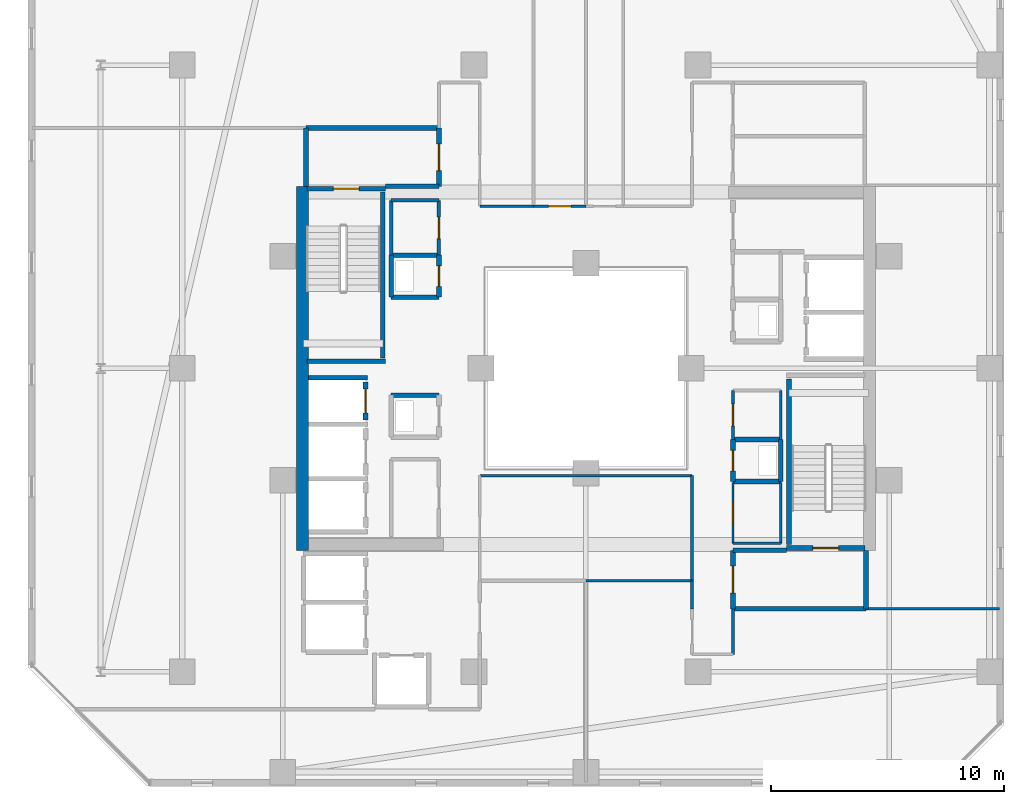
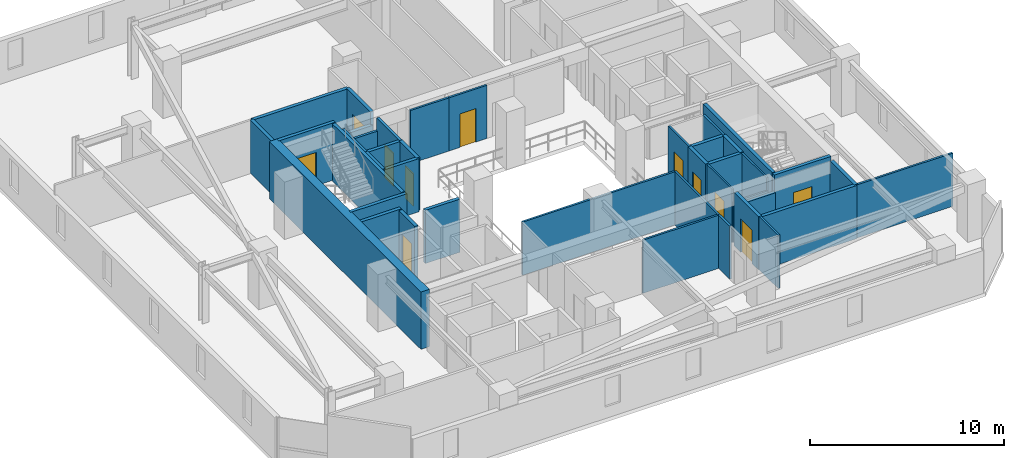
# One storey, part 24 of 33: 41 walls, 11 doors, 11 openings.
"""IFC4 building model written with IfcOpenShell, lengths in metres."""

from ifc_helpers import new_model, si_unit, direction, frame, frame_2d, origin, place, context, subcontext, project, spatial, rectangle, extrude, material, layer, layer_set, type_object, element, fill, save


model = new_model("IFC4")

# Units and contexts
model_context = context("Model", 3, precision=1e-05, world=origin(), true_north=direction((0.0, 1.0)))
body_context = subcontext(model_context, "Body", "Model", "MODEL_VIEW")
ifc_project = project(units=[si_unit("LENGTHUNIT", "METRE"), si_unit("AREAUNIT", "SQUARE_METRE"), si_unit("VOLUMEUNIT", "CUBIC_METRE"), si_unit("PLANEANGLEUNIT", "RADIAN"), si_unit("MASSUNIT", "GRAM", prefix="KILO")], contexts=[model_context])

# Site, building, storey
site_placement = place(None, origin())
site = spatial("IfcSite", under=ifc_project, at=site_placement, CompositionType="ELEMENT")
building_placement = place(site_placement, origin())
building = spatial("IfcBuilding", under=site, at=building_placement, Name="Thornwick Lancets Civic Towers", CompositionType="ELEMENT")
storey_placement = place(building_placement, frame((0.0, 0.0, 189.300048828125)))
storey = spatial("IfcBuildingStorey", under=building, at=storey_placement, Name="L50", CompositionType="ELEMENT", Elevation=189.300048828125)

# Wall, opening, door
ifc_material_1 = material(Name="Concrete blockwork C40/50", Category="masonry")
ifc_layer_1 = layer(ifc_material_1, 0.199951171875, Name="Concrete blockwork C40/50")
ifc_layer_set_1 = layer_set([ifc_layer_1], Name="Concrete blockwork C40/50")
wall_type_1 = type_object("IfcWallType", Name="WALL_COMP_200", PredefinedType="STANDARD", material=ifc_layer_set_1)
wall_1_placement = place(storey_placement, frame((79.050048828125, 24.780029296875, 0.0), z_axis=(0.0, 0.0, 1.0), x_axis=(0.0, 1.0, 0.0)))
wall_1 = element("IfcWall", 1, at=wall_1_placement, inside=storey, type_object=wall_type_1, Name="L50 Hoistway Front Wall FL-B2", PredefinedType="STANDARD", context=body_context, shape_type="SweptSolid", body=[
    extrude(rectangle(XDim=1.639892578125, YDim=0.199951171875, at=frame_2d((0.81982421875, 0.0))), origin(), (0.0, 0.0, 1.0), 3.33984375),
])
opening_1_placement = place(wall_1_placement, frame((0.31005859375, 0.0, 0.0)))
opening_1 = element("IfcOpeningElement", 2, at=opening_1_placement, cuts=wall_1, Name="Opening LD-FL-B2", PredefinedType="OPENING", context=body_context, shape_type="SweptSolid", body=[
    extrude(rectangle(XDim=1.02001953125, YDim=2.06005859375, at=frame_2d((0.510009765625, 1.030029296875))), frame((0.0, 0.10986328125, 0.0), z_axis=(0.0, -1.0, 0.0), x_axis=(1.0, 0.0, 0.0)), (0.0, 0.0, 1.0), 0.219970703125),
])
ifc_material_2 = material(Name="Brushed bronze stainless steel", Category="steel")
door_type_1 = type_object("IfcDoorType", Name="DOOR_LIFT_SLIDE", OperationType="SLIDING_TO_LEFT", PredefinedType="DOOR", material=ifc_material_2)
door_1_placement = place(opening_1_placement, origin())
door_1 = element("IfcDoor", 3, at=door_1_placement, inside=storey, type_object=door_type_1, Name="L50 Sliding Lift Landing Door LD-FL-B2", OperationType="SLIDING_TO_LEFT", OverallHeight=2.06005859375, OverallWidth=1.02001953125, PredefinedType="DOOR", context=body_context, shape_type="SweptSolid", body=[
    extrude(rectangle(XDim=1.02001953125, YDim=2.06005859375, at=frame_2d((0.510009765625, 1.030029296875))), frame((0.0, 0.02490234375, 0.0), z_axis=(0.0, -1.0, 0.0), x_axis=(1.0, 0.0, 0.0)), (0.0, 0.0, 1.0), 0.050048828125),
])
fill(opening_1, door_1)

# Walls
wall_2_placement = place(storey_placement, frame((76.612060546875, 26.60009765625, 0.0), z_axis=(0.0, 0.0, 1.0), x_axis=(1.0, 0.0, 0.0)))
element("IfcWall", 4, at=wall_2_placement, inside=storey, type_object=wall_type_1, Name="L50 Hoistway Shaft Wall FL-B2 N", PredefinedType="STANDARD", context=body_context, shape_type="SweptSolid", body=[
    extrude(rectangle(XDim=2.535888671875, YDim=0.199951171875, at=frame_2d((1.26806640625, 0.0))), origin(), (0.0, 0.0, 1.0), 3.33984375),
])
wall_3_placement = place(storey_placement, frame((94.800048828125, 16.699951171875, 0.0), z_axis=(0.0, 0.0, 1.0), x_axis=(1.0, 0.0, 0.0)))
element("IfcWall", 5, at=wall_3_placement, inside=storey, type_object=wall_type_1, Name="L50 Partition L50-B-FFLOB1 E1", PredefinedType="STANDARD", context=body_context, shape_type="SweptSolid", body=[
    extrude(rectangle(XDim=5.699951171875, YDim=0.199951171875, at=frame_2d((2.85009765625, 0.0))), origin(), (0.0, 0.0, 1.0), 3.33984375),
])
wall_4_placement = place(storey_placement, frame((100.5, 16.699951171875, 0.0), z_axis=(0.0, 0.0, 1.0), x_axis=(0.0, 1.0, 0.0)))
element("IfcWall", 6, at=wall_4_placement, inside=storey, type_object=wall_type_1, Name="L50 Partition L50-B-FFLOB1 E2", PredefinedType="STANDARD", context=body_context, shape_type="SweptSolid", body=[
    extrude(rectangle(XDim=2.5, YDim=0.199951171875, at=frame_2d((1.25, 0.0))), origin(), (0.0, 0.0, 1.0), 3.33984375),
])
wall_5_placement = place(storey_placement, frame((97.10009765625, 19.199951171875, 0.0), z_axis=(0.0, 0.0, 1.0), x_axis=(-1.0, 0.0, 0.0)))
element("IfcWall", 7, at=wall_5_placement, inside=storey, type_object=wall_type_1, Name="L50 Partition L50-B-FFLOB1 E3", PredefinedType="STANDARD", context=body_context, shape_type="SweptSolid", body=[
    extrude(rectangle(XDim=2.300048828125, YDim=0.199951171875, at=frame_2d((1.14990234375, 0.0))), origin(), (0.0, 0.0, 1.0), 2.544921875),
])

# Wall, opening, door
wall_6_placement = place(storey_placement, frame((94.800048828125, 19.199951171875, 0.0), z_axis=(0.0, 0.0, 1.0), x_axis=(0.0, -1.0, 0.0)))
wall_6 = element("IfcWall", 8, at=wall_6_placement, inside=storey, type_object=wall_type_1, Name="L50 Partition L50-B-FFLOB1 E4", PredefinedType="STANDARD", context=body_context, shape_type="SweptSolid", body=[
    extrude(rectangle(XDim=2.5, YDim=0.199951171875, at=frame_2d((1.25, 0.0))), origin(), (0.0, 0.0, 1.0), 3.33984375),
])
opening_2_placement = place(wall_6_placement, frame((0.675048828125, 0.0, 0.0)))
opening_2 = element("IfcOpeningElement", 9, at=opening_2_placement, cuts=wall_6, Name="Opening D-L50-2217", PredefinedType="OPENING", context=body_context, shape_type="SweptSolid", body=[
    extrude(rectangle(XDim=1.14990234375, YDim=2.10009765625, at=frame_2d((0.574951171875, 1.050048828125))), frame((0.0, 0.10986328125, 0.0), z_axis=(0.0, -1.0, 0.0), x_axis=(1.0, 0.0, 0.0)), (0.0, 0.0, 1.0), 0.219970703125),
])
ifc_material_3 = material(Name="Glazed fire-resisting steel", Category="steel")
door_type_2 = type_object("IfcDoorType", Name="DOOR_LOBBY_FD60", OperationType="NOTDEFINED", PredefinedType="DOOR", material=ifc_material_3)
door_2_placement = place(opening_2_placement, origin())
door_2 = element("IfcDoor", 10, at=door_2_placement, inside=storey, type_object=door_type_2, Name="L50 East Firefighting Lobby 1 Door", OperationType="SINGLE_SWING_RIGHT", OverallHeight=2.10009765625, OverallWidth=1.14990234375, PredefinedType="DOOR", context=body_context, shape_type="SweptSolid", body=[
    extrude(rectangle(XDim=1.14990234375, YDim=2.10009765625, at=frame_2d((0.574951171875, 1.050048828125))), frame((0.0, 0.02490234375, 0.0), z_axis=(0.0, -1.0, 0.0), x_axis=(1.0, 0.0, 0.0)), (0.0, 0.0, 1.0), 0.050048828125),
])
fill(opening_2, door_2)

# Wall
wall_7_placement = place(storey_placement, frame((79.89990234375, 34.800048828125, 0.0), z_axis=(0.0, 0.0, 1.0), x_axis=(1.0, 0.0, 0.0)))
element("IfcWall", 11, at=wall_7_placement, inside=storey, type_object=wall_type_1, Name="L50 Partition L50-B-FFLOB2 E1", PredefinedType="STANDARD", context=body_context, shape_type="SweptSolid", body=[
    extrude(rectangle(XDim=2.300048828125, YDim=0.199951171875, at=frame_2d((1.14990234375, 0.0))), origin(), (0.0, 0.0, 1.0), 2.544921875),
])

# Wall, opening, door
wall_8_placement = place(storey_placement, frame((82.199951171875, 34.800048828125, 0.0), z_axis=(0.0, 0.0, 1.0), x_axis=(0.0, 1.0, 0.0)))
wall_8 = element("IfcWall", 12, at=wall_8_placement, inside=storey, type_object=wall_type_1, Name="L50 Partition L50-B-FFLOB2 E2", PredefinedType="STANDARD", context=body_context, shape_type="SweptSolid", body=[
    extrude(rectangle(XDim=2.5, YDim=0.199951171875, at=frame_2d((1.25, 0.0))), origin(), (0.0, 0.0, 1.0), 3.33984375),
])
opening_3_placement = place(wall_8_placement, frame((0.675048828125, 0.0, 0.0)))
opening_3 = element("IfcOpeningElement", 13, at=opening_3_placement, cuts=wall_8, Name="Opening D-L50-2218", PredefinedType="OPENING", context=body_context, shape_type="SweptSolid", body=[
    extrude(rectangle(XDim=1.14990234375, YDim=2.10009765625, at=frame_2d((0.574951171875, 1.050048828125))), frame((0.0, 0.10986328125, 0.0), z_axis=(0.0, -1.0, 0.0), x_axis=(1.0, 0.0, 0.0)), (0.0, 0.0, 1.0), 0.219970703125),
])
door_3_placement = place(opening_3_placement, origin())
door_3 = element("IfcDoor", 14, at=door_3_placement, inside=storey, type_object=door_type_2, Name="L50 West Firefighting Lobby 2 Door", OperationType="SINGLE_SWING_LEFT", OverallHeight=2.10009765625, OverallWidth=1.14990234375, PredefinedType="DOOR", context=body_context, shape_type="SweptSolid", body=[
    extrude(rectangle(XDim=1.14990234375, YDim=2.10009765625, at=frame_2d((0.574951171875, 1.050048828125))), frame((0.0, 0.02490234375, 0.0), z_axis=(0.0, -1.0, 0.0), x_axis=(1.0, 0.0, 0.0)), (0.0, 0.0, 1.0), 0.050048828125),
])
fill(opening_3, door_3)

# Walls
wall_9_placement = place(storey_placement, frame((82.199951171875, 37.300048828125, 0.0), z_axis=(0.0, 0.0, 1.0), x_axis=(-1.0, 0.0, 0.0)))
element("IfcWall", 15, at=wall_9_placement, inside=storey, type_object=wall_type_1, Name="L50 Partition L50-B-FFLOB2 E3", PredefinedType="STANDARD", context=body_context, shape_type="SweptSolid", body=[
    extrude(rectangle(XDim=5.699951171875, YDim=0.199951171875, at=frame_2d((2.85009765625, 0.0))), origin(), (0.0, 0.0, 1.0), 3.33984375),
])
wall_10_placement = place(storey_placement, frame((76.5, 37.300048828125, 0.0), z_axis=(0.0, 0.0, 1.0), x_axis=(0.0, -1.0, 0.0)))
element("IfcWall", 16, at=wall_10_placement, inside=storey, type_object=wall_type_1, Name="L50 Partition L50-B-FFLOB2 E4", PredefinedType="STANDARD", context=body_context, shape_type="SweptSolid", body=[
    extrude(rectangle(XDim=2.5, YDim=0.199951171875, at=frame_2d((1.25, 0.0))), origin(), (0.0, 0.0, 1.0), 3.33984375),
])
wall_11_placement = place(storey_placement, frame((94.800048828125, 22.14990234375, 0.0), z_axis=(0.0, 0.0, 1.0), x_axis=(1.0, 0.0, 0.0)))
element("IfcWall", 17, at=wall_11_placement, inside=storey, type_object=wall_type_1, Name="L50 Partition L50-B-RISER1 E1", PredefinedType="STANDARD", context=body_context, shape_type="SweptSolid", body=[
    extrude(rectangle(XDim=2.050048828125, YDim=0.199951171875, at=frame_2d((1.02490234375, 0.0))), origin(), (0.0, 0.0, 1.0), 3.33984375),
])
wall_12_placement = place(storey_placement, frame((96.85009765625, 22.14990234375, 0.0), z_axis=(0.0, 0.0, 1.0), x_axis=(0.0, 1.0, 0.0)))
element("IfcWall", 18, at=wall_12_placement, inside=storey, type_object=wall_type_1, Name="L50 Partition L50-B-RISER1 E2", PredefinedType="STANDARD", context=body_context, shape_type="SweptSolid", body=[
    extrude(rectangle(XDim=1.800048828125, YDim=0.199951171875, at=frame_2d((0.89990234375, 0.0))), origin(), (0.0, 0.0, 1.0), 3.33984375),
])
wall_13_placement = place(storey_placement, frame((96.85009765625, 23.949951171875, 0.0), z_axis=(0.0, 0.0, 1.0), x_axis=(-1.0, 0.0, 0.0)))
element("IfcWall", 19, at=wall_13_placement, inside=storey, type_object=wall_type_1, Name="L50 Partition L50-B-RISER1 E3", PredefinedType="STANDARD", context=body_context, shape_type="SweptSolid", body=[
    extrude(rectangle(XDim=2.050048828125, YDim=0.199951171875, at=frame_2d((1.02490234375, 0.0))), origin(), (0.0, 0.0, 1.0), 3.33984375),
])

# Wall, opening, door
wall_14_placement = place(storey_placement, frame((94.800048828125, 23.949951171875, 0.0), z_axis=(0.0, 0.0, 1.0), x_axis=(0.0, -1.0, 0.0)))
wall_14 = element("IfcWall", 20, at=wall_14_placement, inside=storey, type_object=wall_type_1, Name="L50 Partition L50-B-RISER1 E4", PredefinedType="STANDARD", context=body_context, shape_type="SweptSolid", body=[
    extrude(rectangle(XDim=1.800048828125, YDim=0.199951171875, at=frame_2d((0.89990234375, 0.0))), origin(), (0.0, 0.0, 1.0), 3.33984375),
])
opening_4_placement = place(wall_14_placement, frame((0.4599609375, 0.0, 0.0)))
opening_4 = element("IfcOpeningElement", 21, at=opening_4_placement, cuts=wall_14, Name="Opening D-L50-2220", PredefinedType="OPENING", context=body_context, shape_type="SweptSolid", body=[
    extrude(rectangle(XDim=0.8798828125, YDim=2.0400390625, at=frame_2d((0.43994140625, 1.02001953125))), frame((0.0, 0.10986328125, 0.0), z_axis=(0.0, -1.0, 0.0), x_axis=(1.0, 0.0, 0.0)), (0.0, 0.0, 1.0), 0.219970703125),
])
ifc_material_4 = material(Name="Steel riser access doorset", Category="steel")
door_type_3 = type_object("IfcDoorType", Name="DOOR_RISER_850", OperationType="NOTDEFINED", PredefinedType="DOOR", material=ifc_material_4)
door_4_placement = place(opening_4_placement, origin())
door_4 = element("IfcDoor", 22, at=door_4_placement, inside=storey, type_object=door_type_3, Name="L50 East Electrical Riser 1 Door", OperationType="SINGLE_SWING_LEFT", OverallHeight=2.0400390625, OverallWidth=0.8798828125, PredefinedType="DOOR", context=body_context, shape_type="SweptSolid", body=[
    extrude(rectangle(XDim=0.8798828125, YDim=2.0400390625, at=frame_2d((0.43994140625, 1.02001953125))), frame((0.0, 0.02490234375, 0.0), z_axis=(0.0, -1.0, 0.0), x_axis=(1.0, 0.0, 0.0)), (0.0, 0.0, 1.0), 0.050048828125),
])
fill(opening_4, door_4)

# Walls
for number, where, z_axis, x_axis, name in (
    (23, (82.199951171875, 25.85009765625, 0.0), (0.0, 0.0, 1.0), (-1.0, 0.0, 0.0), "L50 Partition L50-B-DUCT2 E3"),
    (24, (80.14990234375, 30.050048828125, 0.0), (0.0, 0.0, 1.0), (1.0, 0.0, 0.0), "L50 Partition L50-B-RISER2 E1"),
):
    element("IfcWall", number, at=place(storey_placement, frame(where, z_axis=z_axis, x_axis=x_axis)), inside=storey, type_object=wall_type_1, Name=name, PredefinedType="STANDARD", context=body_context, shape_type="SweptSolid", body=[
        extrude(rectangle(XDim=2.050048828125, YDim=0.199951171875, at=frame_2d((1.02490234375, 0.0))), origin(), (0.0, 0.0, 1.0), 3.33984375),
    ])

# Wall, opening, door
wall_15_placement = place(storey_placement, frame((82.199951171875, 30.050048828125, 0.0), z_axis=(0.0, 0.0, 1.0), x_axis=(0.0, 1.0, 0.0)))
wall_15 = element("IfcWall", 25, at=wall_15_placement, inside=storey, type_object=wall_type_1, Name="L50 Partition L50-B-RISER2 E2", PredefinedType="STANDARD", context=body_context, shape_type="SweptSolid", body=[
    extrude(rectangle(XDim=1.800048828125, YDim=0.199951171875, at=frame_2d((0.89990234375, 0.0))), origin(), (0.0, 0.0, 1.0), 3.33984375),
])
opening_5_placement = place(wall_15_placement, frame((0.4599609375, 0.0, 0.0)))
opening_5 = element("IfcOpeningElement", 26, at=opening_5_placement, cuts=wall_15, Name="Opening D-L50-2222", PredefinedType="OPENING", context=body_context, shape_type="SweptSolid", body=[
    extrude(rectangle(XDim=0.8798828125, YDim=2.0400390625, at=frame_2d((0.43994140625, 1.02001953125))), frame((0.0, 0.10986328125, 0.0), z_axis=(0.0, -1.0, 0.0), x_axis=(1.0, 0.0, 0.0)), (0.0, 0.0, 1.0), 0.219970703125),
])
door_5_placement = place(opening_5_placement, origin())
door_5 = element("IfcDoor", 27, at=door_5_placement, inside=storey, type_object=door_type_3, Name="L50 West Service Riser 2 Door", OperationType="SINGLE_SWING_LEFT", OverallHeight=2.0400390625, OverallWidth=0.8798828125, PredefinedType="DOOR", context=body_context, shape_type="SweptSolid", body=[
    extrude(rectangle(XDim=0.8798828125, YDim=2.0400390625, at=frame_2d((0.43994140625, 1.02001953125))), frame((0.0, 0.02490234375, 0.0), z_axis=(0.0, -1.0, 0.0), x_axis=(1.0, 0.0, 0.0)), (0.0, 0.0, 1.0), 0.050048828125),
])
fill(opening_5, door_5)

# Walls
wall_16_placement = place(storey_placement, frame((82.199951171875, 31.85009765625, 0.0), z_axis=(0.0, 0.0, 1.0), x_axis=(-1.0, 0.0, 0.0)))
element("IfcWall", 28, at=wall_16_placement, inside=storey, type_object=wall_type_1, Name="L50 Partition L50-B-RISER2 E3", PredefinedType="STANDARD", context=body_context, shape_type="SweptSolid", body=[
    extrude(rectangle(XDim=2.050048828125, YDim=0.199951171875, at=frame_2d((1.02490234375, 0.0))), origin(), (0.0, 0.0, 1.0), 3.33984375),
])
wall_17_placement = place(storey_placement, frame((80.14990234375, 31.85009765625, 0.0), z_axis=(0.0, 0.0, 1.0), x_axis=(0.0, -1.0, 0.0)))
element("IfcWall", 29, at=wall_17_placement, inside=storey, type_object=wall_type_1, Name="L50 Partition L50-B-RISER2 E4", PredefinedType="STANDARD", context=body_context, shape_type="SweptSolid", body=[
    extrude(rectangle(XDim=1.800048828125, YDim=0.199951171875, at=frame_2d((0.89990234375, 0.0))), origin(), (0.0, 0.0, 1.0), 3.33984375),
])
ifc_material_5 = material(Name="Concrete C50/60", Category="concrete")
ifc_layer_2 = layer(ifc_material_5, 0.5, Name="Concrete C50/60")
ifc_layer_set_2 = layer_set([ifc_layer_2], Name="Concrete C50/60")
wall_type_2 = type_object("IfcWallType", Name="WALL_CORE_500", PredefinedType="SHEAR", material=ifc_layer_set_2)
wall_18_placement = place(storey_placement, frame((76.35009765625, 19.199951171875, 0.0), z_axis=(0.0, 0.0, 1.0), x_axis=(0.0, 1.0, 0.0)))
element("IfcWall", 30, at=wall_18_placement, inside=storey, type_object=wall_type_2, Name="L50 Split Core B2 Shear Wall W", PredefinedType="SHEAR", context=body_context, shape_type="SweptSolid", body=[
    extrude(rectangle(XDim=15.60009765625, YDim=0.5, at=frame_2d((7.800048828125, 0.0))), origin(), (0.0, 0.0, 1.0), 3.599853515625),
])
ifc_material_6 = material(Name="Lightweight cellular office partition")
ifc_layer_3 = layer(ifc_material_6, 0.10009765625, Name="Lightweight cellular office partition")
ifc_layer_set_3 = layer_set([ifc_layer_3], Name="Lightweight cellular office partition")
wall_type_3 = type_object("IfcWallType", Name="WALL_PART_100", PredefinedType="PARTITIONING", material=ifc_layer_set_3)
wall_19_placement = place(storey_placement, frame((94.800048828125, 19.5, 0.0), z_axis=(0.0, 0.0, 1.0), x_axis=(1.0, 0.0, 0.0)))
element("IfcWall", 31, at=wall_19_placement, inside=storey, type_object=wall_type_3, Name="L50 Partition L50-B-CLN E1", PredefinedType="PARTITIONING", context=body_context, shape_type="SweptSolid", body=[
    extrude(rectangle(XDim=2.050048828125, YDim=0.10009765625, at=frame_2d((1.02490234375, 0.0))), origin(), (0.0, 0.0, 1.0), 2.544921875),
])
wall_20_placement = place(storey_placement, frame((96.85009765625, 19.5, 0.0), z_axis=(0.0, 0.0, 1.0), x_axis=(0.0, 1.0, 0.0)))
element("IfcWall", 32, at=wall_20_placement, inside=storey, type_object=wall_type_3, Name="L50 Partition L50-B-CLN E2", PredefinedType="PARTITIONING", context=body_context, shape_type="SweptSolid", body=[
    extrude(rectangle(XDim=2.60009765625, YDim=0.10009765625, at=frame_2d((1.300048828125, 0.0))), origin(), (0.0, 0.0, 1.0), 3.33984375),
])

# Wall, opening, door
wall_21_placement = place(storey_placement, frame((94.800048828125, 22.10009765625, 0.0), z_axis=(0.0, 0.0, 1.0), x_axis=(0.0, -1.0, 0.0)))
wall_21 = element("IfcWall", 33, at=wall_21_placement, inside=storey, type_object=wall_type_3, Name="L50 Partition L50-B-CLN E4", PredefinedType="PARTITIONING", context=body_context, shape_type="SweptSolid", body=[
    extrude(rectangle(XDim=2.60009765625, YDim=0.10009765625, at=frame_2d((1.300048828125, 0.0))), origin(), (0.0, 0.0, 1.0), 3.33984375),
])
opening_6_placement = place(wall_21_placement, frame((0.824951171875, 0.0, 0.0)))
opening_6 = element("IfcOpeningElement", 34, at=opening_6_placement, cuts=wall_21, Name="Opening D-L50-2223", PredefinedType="OPENING", context=body_context, shape_type="SweptSolid", body=[
    extrude(rectangle(XDim=0.949951171875, YDim=2.10009765625, at=frame_2d((0.47509765625, 1.050048828125))), frame((0.0, 0.06005859375, 0.0), z_axis=(0.0, -1.0, 0.0), x_axis=(1.0, 0.0, 0.0)), (0.0, 0.0, 1.0), 0.1201171875),
])
ifc_material_7 = material(Name="European oak acoustic doorset")
door_type_4 = type_object("IfcDoorType", Name="DOOR_OFFICE_950", OperationType="NOTDEFINED", PredefinedType="DOOR", material=ifc_material_7)
door_6_placement = place(opening_6_placement, origin())
door_6 = element("IfcDoor", 35, at=door_6_placement, inside=storey, type_object=door_type_4, Name="L50 Tower B Cleaners Store Door", OperationType="SINGLE_SWING_RIGHT", OverallHeight=2.10009765625, OverallWidth=0.949951171875, PredefinedType="DOOR", context=body_context, shape_type="SweptSolid", body=[
    extrude(rectangle(XDim=0.949951171875, YDim=2.10009765625, at=frame_2d((0.47509765625, 1.050048828125))), frame((0.0, 0.02490234375, 0.0), z_axis=(0.0, -1.0, 0.0), x_axis=(1.0, 0.0, 0.0)), (0.0, 0.0, 1.0), 0.050048828125),
])
fill(opening_6, door_6)

ifc_material_8 = material(Name="Acoustic gypsum board partition")
ifc_layer_4 = layer(ifc_material_8, 0.1201171875, Name="Acoustic gypsum board partition")
ifc_layer_set_4 = layer_set([ifc_layer_4], Name="Acoustic gypsum board partition")
wall_type_4 = type_object("IfcWallType", Name="WALL_PART_120", PredefinedType="PARTITIONING", material=ifc_layer_set_4)
wall_22_placement = place(storey_placement, frame((94.800048828125, 23.949951171875, 0.0), z_axis=(0.0, 0.0, 1.0), x_axis=(0.0, 1.0, 0.0)))
wall_22 = element("IfcWall", 36, at=wall_22_placement, inside=storey, type_object=wall_type_4, Name="L50 Partition L50-B-ITR E1", PredefinedType="PARTITIONING", context=body_context, shape_type="SweptSolid", body=[
    extrude(rectangle(XDim=2.10009765625, YDim=0.1201171875, at=frame_2d((1.050048828125, 0.0))), origin(), (0.0, 0.0, 1.0), 3.33984375),
])
opening_7_placement = place(wall_22_placement, frame((0.574951171875, 0.0, 0.0)))
opening_7 = element("IfcOpeningElement", 37, at=opening_7_placement, cuts=wall_22, Name="Opening D-L50-2224", PredefinedType="OPENING", context=body_context, shape_type="SweptSolid", body=[
    extrude(rectangle(XDim=0.949951171875, YDim=2.10009765625, at=frame_2d((0.47509765625, 1.050048828125))), frame((0.0, 0.070068359375, 0.0), z_axis=(0.0, -1.0, 0.0), x_axis=(1.0, 0.0, 0.0)), (0.0, 0.0, 1.0), 0.14013671875),
])
door_7_placement = place(opening_7_placement, origin())
door_7 = element("IfcDoor", 38, at=door_7_placement, inside=storey, type_object=door_type_4, Name="L50 Tower B Comms Patch Room Door", OperationType="SINGLE_SWING_LEFT", OverallHeight=2.10009765625, OverallWidth=0.949951171875, PredefinedType="DOOR", context=body_context, shape_type="SweptSolid", body=[
    extrude(rectangle(XDim=0.949951171875, YDim=2.10009765625, at=frame_2d((0.47509765625, 1.050048828125))), frame((0.0, 0.02490234375, 0.0), z_axis=(0.0, -1.0, 0.0), x_axis=(1.0, 0.0, 0.0)), (0.0, 0.0, 1.0), 0.050048828125),
])
fill(opening_7, door_7)

# Walls
wall_23_placement = place(storey_placement, frame((96.85009765625, 26.050048828125, 0.0), z_axis=(0.0, 0.0, 1.0), x_axis=(0.0, -1.0, 0.0)))
element("IfcWall", 39, at=wall_23_placement, inside=storey, type_object=wall_type_4, Name="L50 Partition L50-B-ITR E3", PredefinedType="PARTITIONING", context=body_context, shape_type="SweptSolid", body=[
    extrude(rectangle(XDim=2.10009765625, YDim=0.1201171875, at=frame_2d((1.050048828125, 0.0))), origin(), (0.0, 0.0, 1.0), 3.33984375),
])
wall_24_placement = place(storey_placement, frame((88.5, 17.89990234375, 0.0), z_axis=(0.0, 0.0, 1.0), x_axis=(1.0, 0.0, 0.0)))
element("IfcWall", 40, at=wall_24_placement, inside=storey, type_object=wall_type_4, Name="L50 Partition L50-B-W1 E3", PredefinedType="PARTITIONING", context=body_context, shape_type="SweptSolid", body=[
    extrude(rectangle(XDim=4.550048828125, YDim=0.1201171875, at=frame_2d((2.27490234375, 0.0))), origin(), (0.0, 0.0, 1.0), 3.33984375),
])
wall_25_placement = place(storey_placement, frame((93.050048828125, 17.89990234375, 0.0), z_axis=(0.0, 0.0, 1.0), x_axis=(0.0, -1.0, 0.0)))
element("IfcWall", 41, at=wall_25_placement, inside=storey, type_object=wall_type_4, Name="L50 Partition L50-B-W1 E4", PredefinedType="PARTITIONING", context=body_context, shape_type="SweptSolid", body=[
    extrude(rectangle(XDim=1.199951171875, YDim=0.1201171875, at=frame_2d((0.60009765625, 0.0))), origin(), (0.0, 0.0, 1.0), 3.33984375),
])
wall_26_placement = place(storey_placement, frame((94.800048828125, 14.75, 0.0), z_axis=(0.0, 0.0, 1.0), x_axis=(0.0, 1.0, 0.0)))
element("IfcWall", 42, at=wall_26_placement, inside=storey, type_object=wall_type_4, Name="L50 Partition L50-B-W1 E7", PredefinedType="PARTITIONING", context=body_context, shape_type="SweptSolid", body=[
    extrude(rectangle(XDim=1.949951171875, YDim=0.1201171875, at=frame_2d((0.97509765625, 0.0))), origin(), (0.0, 0.0, 1.0), 3.33984375),
])
wall_27_placement = place(storey_placement, frame((100.5, 16.699951171875, 0.0), z_axis=(0.0, 0.0, 1.0), x_axis=(1.0, 0.0, 0.0)))
element("IfcWall", 43, at=wall_27_placement, inside=storey, type_object=wall_type_4, Name="L50 Partition L50-B-W1 E9", PredefinedType="PARTITIONING", context=body_context, shape_type="SweptSolid", body=[
    extrude(rectangle(XDim=5.719970703125, YDim=0.1201171875, at=frame_2d((2.85986328125, 0.0))), origin(), (0.0, 0.0, 1.0), 3.33984375),
])
wall_28_placement = place(storey_placement, frame((83.949951171875, 22.39990234375, 0.0), z_axis=(0.0, 0.0, 1.0), x_axis=(1.0, 0.0, 0.0)))
element("IfcWall", 44, at=wall_28_placement, inside=storey, type_object=wall_type_4, Name="L50 Partition L50-B-W3 E2", PredefinedType="PARTITIONING", context=body_context, shape_type="SweptSolid", body=[
    extrude(rectangle(XDim=9.10009765625, YDim=0.1201171875, at=frame_2d((4.550048828125, 0.0))), origin(), (0.0, 0.0, 1.0), 3.33984375),
])
wall_29_placement = place(storey_placement, frame((93.050048828125, 22.39990234375, 0.0), z_axis=(0.0, 0.0, 1.0), x_axis=(0.0, -1.0, 0.0)))
element("IfcWall", 45, at=wall_29_placement, inside=storey, type_object=wall_type_4, Name="L50 Partition L50-B-W3 E3", PredefinedType="PARTITIONING", context=body_context, shape_type="SweptSolid", body=[
    extrude(rectangle(XDim=4.5, YDim=0.1201171875, at=frame_2d((2.25, 0.0))), origin(), (0.0, 0.0, 1.0), 3.33984375),
])

# Wall, opening, door
wall_30_placement = place(storey_placement, frame((88.5, 33.949951171875, 0.0), z_axis=(0.0, 0.0, 1.0), x_axis=(-1.0, 0.0, 0.0)))
wall_30 = element("IfcWall", 46, at=wall_30_placement, inside=storey, type_object=wall_type_4, Name="L50 Partition L50-B-E3 E4", PredefinedType="PARTITIONING", context=body_context, shape_type="SweptSolid", body=[
    extrude(rectangle(XDim=2.25, YDim=0.1201171875, at=frame_2d((1.125, 0.0))), origin(), (0.0, 0.0, 1.0), 3.33984375),
])
opening_8_placement = place(wall_30_placement, frame((0.64990234375, 0.0, 0.0)))
opening_8 = element("IfcOpeningElement", 47, at=opening_8_placement, cuts=wall_30, Name="Opening D-L50-2245", PredefinedType="OPENING", context=body_context, shape_type="SweptSolid", body=[
    extrude(rectangle(XDim=0.949951171875, YDim=2.10009765625, at=frame_2d((0.47509765625, 1.050048828125))), frame((0.0, 0.070068359375, 0.0), z_axis=(0.0, -1.0, 0.0), x_axis=(1.0, 0.0, 0.0)), (0.0, 0.0, 1.0), 0.14013671875),
])
door_8_placement = place(opening_8_placement, origin())
door_8 = element("IfcDoor", 48, at=door_8_placement, inside=storey, type_object=door_type_4, Name="L50 Tower B Civic Seminar Room Door", OperationType="SINGLE_SWING_RIGHT", OverallHeight=2.10009765625, OverallWidth=0.949951171875, PredefinedType="DOOR", context=body_context, shape_type="SweptSolid", body=[
    extrude(rectangle(XDim=0.949951171875, YDim=2.10009765625, at=frame_2d((0.47509765625, 1.050048828125))), frame((0.0, 0.02490234375, 0.0), z_axis=(0.0, -1.0, 0.0), x_axis=(1.0, 0.0, 0.0)), (0.0, 0.0, 1.0), 0.050048828125),
])
fill(opening_8, door_8)

# Walls
wall_31_placement = place(storey_placement, frame((86.25, 33.949951171875, 0.0), z_axis=(0.0, 0.0, 1.0), x_axis=(-1.0, 0.0, 0.0)))
element("IfcWall", 49, at=wall_31_placement, inside=storey, type_object=wall_type_4, Name="L50 Partition L50-B-E4 E11", PredefinedType="PARTITIONING", context=body_context, shape_type="SweptSolid", body=[
    extrude(rectangle(XDim=2.300048828125, YDim=0.1201171875, at=frame_2d((1.14990234375, 0.0))), origin(), (0.0, 0.0, 1.0), 3.33984375),
])
ifc_material_9 = material(Name="Twin-stud acoustic gypsum board")
ifc_layer_5 = layer(ifc_material_9, 0.14990234375, Name="Twin-stud acoustic gypsum board")
ifc_layer_set_5 = layer_set([ifc_layer_5], Name="Twin-stud acoustic gypsum board")
wall_type_5 = type_object("IfcWallType", Name="WALL_PART_150", PredefinedType="PARTITIONING", material=ifc_layer_set_5)
wall_32_placement = place(storey_placement, frame((80.14990234375, 31.85009765625, 0.0), z_axis=(0.0, 0.0, 1.0), x_axis=(0.0, 1.0, 0.0)))
element("IfcWall", 50, at=wall_32_placement, inside=storey, type_object=wall_type_5, Name="L50 Partition L50-B-FWC E1", PredefinedType="PARTITIONING", context=body_context, shape_type="SweptSolid", body=[
    extrude(rectangle(XDim=2.349853515625, YDim=0.14990234375, at=frame_2d((1.1748046875, 0.0))), origin(), (0.0, 0.0, 1.0), 3.33984375),
])
wall_33_placement = place(storey_placement, frame((80.14990234375, 34.199951171875, 0.0), z_axis=(0.0, 0.0, 1.0), x_axis=(1.0, 0.0, 0.0)))
element("IfcWall", 51, at=wall_33_placement, inside=storey, type_object=wall_type_5, Name="L50 Partition L50-B-FWC E2", PredefinedType="PARTITIONING", context=body_context, shape_type="SweptSolid", body=[
    extrude(rectangle(XDim=2.050048828125, YDim=0.14990234375, at=frame_2d((1.02490234375, 0.0))), origin(), (0.0, 0.0, 1.0), 2.544921875),
])

# Wall, opening, door
wall_34_placement = place(storey_placement, frame((82.199951171875, 34.199951171875, 0.0), z_axis=(0.0, 0.0, 1.0), x_axis=(0.0, -1.0, 0.0)))
wall_34 = element("IfcWall", 52, at=wall_34_placement, inside=storey, type_object=wall_type_5, Name="L50 Partition L50-B-FWC E3", PredefinedType="PARTITIONING", context=body_context, shape_type="SweptSolid", body=[
    extrude(rectangle(XDim=2.349853515625, YDim=0.14990234375, at=frame_2d((1.1748046875, 0.0))), origin(), (0.0, 0.0, 1.0), 3.33984375),
])
opening_9_placement = place(wall_34_placement, frame((0.715087890625, 0.0, 0.0)))
opening_9 = element("IfcOpeningElement", 53, at=opening_9_placement, cuts=wall_34, Name="Opening D-L50-2228", PredefinedType="OPENING", context=body_context, shape_type="SweptSolid", body=[
    extrude(rectangle(XDim=0.919921875, YDim=2.080078125, at=frame_2d((0.4599609375, 1.0400390625))), frame((0.0, 0.0849609375, 0.0), z_axis=(0.0, -1.0, 0.0), x_axis=(1.0, 0.0, 0.0)), (0.0, 0.0, 1.0), 0.169921875),
])
ifc_material_10 = material(Name="Moisture-resistant oak doorset")
door_type_5 = type_object("IfcDoorType", Name="DOOR_WC_900", OperationType="NOTDEFINED", PredefinedType="DOOR", material=ifc_material_10)
door_9_placement = place(opening_9_placement, origin())
door_9 = element("IfcDoor", 54, at=door_9_placement, inside=storey, type_object=door_type_5, Name="L50 Tower B Female WC Door", OperationType="SINGLE_SWING_LEFT", OverallHeight=2.080078125, OverallWidth=0.919921875, PredefinedType="DOOR", context=body_context, shape_type="SweptSolid", body=[
    extrude(rectangle(XDim=0.919921875, YDim=2.080078125, at=frame_2d((0.4599609375, 1.0400390625))), frame((0.0, 0.02490234375, 0.0), z_axis=(0.0, -1.0, 0.0), x_axis=(1.0, 0.0, 0.0)), (0.0, 0.0, 1.0), 0.050048828125),
])
fill(opening_9, door_9)

ifc_material_11 = material(Name="Concrete C40/50", Category="concrete")
ifc_layer_6 = layer(ifc_material_11, 0.199951171875, Name="Concrete C40/50")
ifc_layer_set_6 = layer_set([ifc_layer_6], Name="Concrete C40/50")
wall_type_6 = type_object("IfcWallType", Name="WALL_SHAFT_200", PredefinedType="SHEAR", material=ifc_layer_set_6)
wall_35_placement = place(storey_placement, frame((100.449951171875, 19.300048828125, 0.0), z_axis=(0.0, 0.0, 1.0), x_axis=(-1.0, 0.0, 0.0)))
wall_35 = element("IfcWall", 55, at=wall_35_placement, inside=storey, type_object=wall_type_6, Name="L50 ST-B1 Fire Stair Core Wall NEAR", PredefinedType="SHEAR", context=body_context, shape_type="SweptSolid", body=[
    extrude(rectangle(XDim=3.349853515625, YDim=0.199951171875, at=frame_2d((1.6748046875, 0.0))), origin(), (0.0, 0.0, 1.0), 3.599853515625),
])
opening_10_placement = place(wall_35_placement, frame((1.125, 0.0, 0.0)))
opening_10 = element("IfcOpeningElement", 56, at=opening_10_placement, cuts=wall_35, Name="Opening D-ST-B1-L50", PredefinedType="OPENING", context=body_context, shape_type="SweptSolid", body=[
    extrude(rectangle(XDim=1.10009765625, YDim=2.10009765625, at=frame_2d((0.550048828125, 1.050048828125))), frame((0.0, 0.10986328125, 0.0), z_axis=(0.0, -1.0, 0.0), x_axis=(1.0, 0.0, 0.0)), (0.0, 0.0, 1.0), 0.219970703125),
])
ifc_material_12 = material(Name="Fire-resisting steel and hardwood", Category="steel")
door_type_6 = type_object("IfcDoorType", Name="DOOR_STAIR_FD60", OperationType="NOTDEFINED", PredefinedType="DOOR", material=ifc_material_12)
door_10_placement = place(opening_10_placement, origin())
door_10 = element("IfcDoor", 57, at=door_10_placement, inside=storey, type_object=door_type_6, Name="L50 ST-B1 Exit Stair Door", OperationType="SINGLE_SWING_RIGHT", OverallHeight=2.10009765625, OverallWidth=1.10009765625, PredefinedType="DOOR", context=body_context, shape_type="SweptSolid", body=[
    extrude(rectangle(XDim=1.10009765625, YDim=2.10009765625, at=frame_2d((0.550048828125, 1.050048828125))), frame((0.0, 0.02490234375, 0.0), z_axis=(0.0, -1.0, 0.0), x_axis=(1.0, 0.0, 0.0)), (0.0, 0.0, 1.0), 0.050048828125),
])
fill(opening_10, door_10)

# Wall
wall_36_placement = place(storey_placement, frame((97.202880859375, 26.550048828125, 0.0), z_axis=(0.0, 0.0, 1.0), x_axis=(0.0, -1.0, 0.0)))
element("IfcWall", 58, at=wall_36_placement, inside=storey, type_object=wall_type_6, Name="L50 ST-B1 Fire Stair Core Wall RIGHT", PredefinedType="SHEAR", context=body_context, shape_type="SweptSolid", body=[
    extrude(rectangle(XDim=7.10009765625, YDim=0.199951171875, at=frame_2d((3.550048828125, 0.0))), origin(), (0.0, 0.0, 1.0), 3.599853515625),
])

# Wall, opening, door
wall_37_placement = place(storey_placement, frame((76.550048828125, 34.699951171875, 0.0), z_axis=(0.0, 0.0, 1.0), x_axis=(1.0, 0.0, 0.0)))
wall_37 = element("IfcWall", 59, at=wall_37_placement, inside=storey, type_object=wall_type_6, Name="L50 ST-B2 Fire Stair Core Wall NEAR", PredefinedType="SHEAR", context=body_context, shape_type="SweptSolid", body=[
    extrude(rectangle(XDim=3.349853515625, YDim=0.199951171875, at=frame_2d((1.6748046875, 0.0))), origin(), (0.0, 0.0, 1.0), 3.599853515625),
])
opening_11_placement = place(wall_37_placement, frame((1.125, 0.0, 0.0)))
opening_11 = element("IfcOpeningElement", 60, at=opening_11_placement, cuts=wall_37, Name="Opening D-ST-B2-L50", PredefinedType="OPENING", context=body_context, shape_type="SweptSolid", body=[
    extrude(rectangle(XDim=1.10009765625, YDim=2.10009765625, at=frame_2d((0.550048828125, 1.050048828125))), frame((0.0, 0.10986328125, 0.0), z_axis=(0.0, -1.0, 0.0), x_axis=(1.0, 0.0, 0.0)), (0.0, 0.0, 1.0), 0.219970703125),
])
door_11_placement = place(opening_11_placement, origin())
door_11 = element("IfcDoor", 61, at=door_11_placement, inside=storey, type_object=door_type_6, Name="L50 ST-B2 Exit Stair Door", OperationType="SINGLE_SWING_LEFT", OverallHeight=2.10009765625, OverallWidth=1.10009765625, PredefinedType="DOOR", context=body_context, shape_type="SweptSolid", body=[
    extrude(rectangle(XDim=1.10009765625, YDim=2.10009765625, at=frame_2d((0.550048828125, 1.050048828125))), frame((0.0, 0.02490234375, 0.0), z_axis=(0.0, -1.0, 0.0), x_axis=(1.0, 0.0, 0.0)), (0.0, 0.0, 1.0), 0.050048828125),
])
fill(opening_11, door_11)

# Walls
wall_38_placement = place(storey_placement, frame((79.89990234375, 27.300048828125, 0.0), z_axis=(0.0, 0.0, 1.0), x_axis=(-1.0, 0.0, 0.0)))
element("IfcWall", 62, at=wall_38_placement, inside=storey, type_object=wall_type_6, Name="L50 ST-B2 Fire Stair Core Wall FAR", PredefinedType="SHEAR", context=body_context, shape_type="SweptSolid", body=[
    extrude(rectangle(XDim=3.349853515625, YDim=0.199951171875, at=frame_2d((1.6748046875, 0.0))), origin(), (0.0, 0.0, 1.0), 3.599853515625),
])
wall_39_placement = place(storey_placement, frame((79.797119140625, 27.449951171875, 0.0), z_axis=(0.0, 0.0, 1.0), x_axis=(0.0, 1.0, 0.0)))
element("IfcWall", 63, at=wall_39_placement, inside=storey, type_object=wall_type_6, Name="L50 ST-B2 Fire Stair Core Wall RIGHT", PredefinedType="SHEAR", context=body_context, shape_type="SweptSolid", body=[
    extrude(rectangle(XDim=7.10009765625, YDim=0.199951171875, at=frame_2d((3.550048828125, 0.0))), origin(), (0.0, 0.0, 1.0), 3.599853515625),
])

save(model, "model.ifc")
